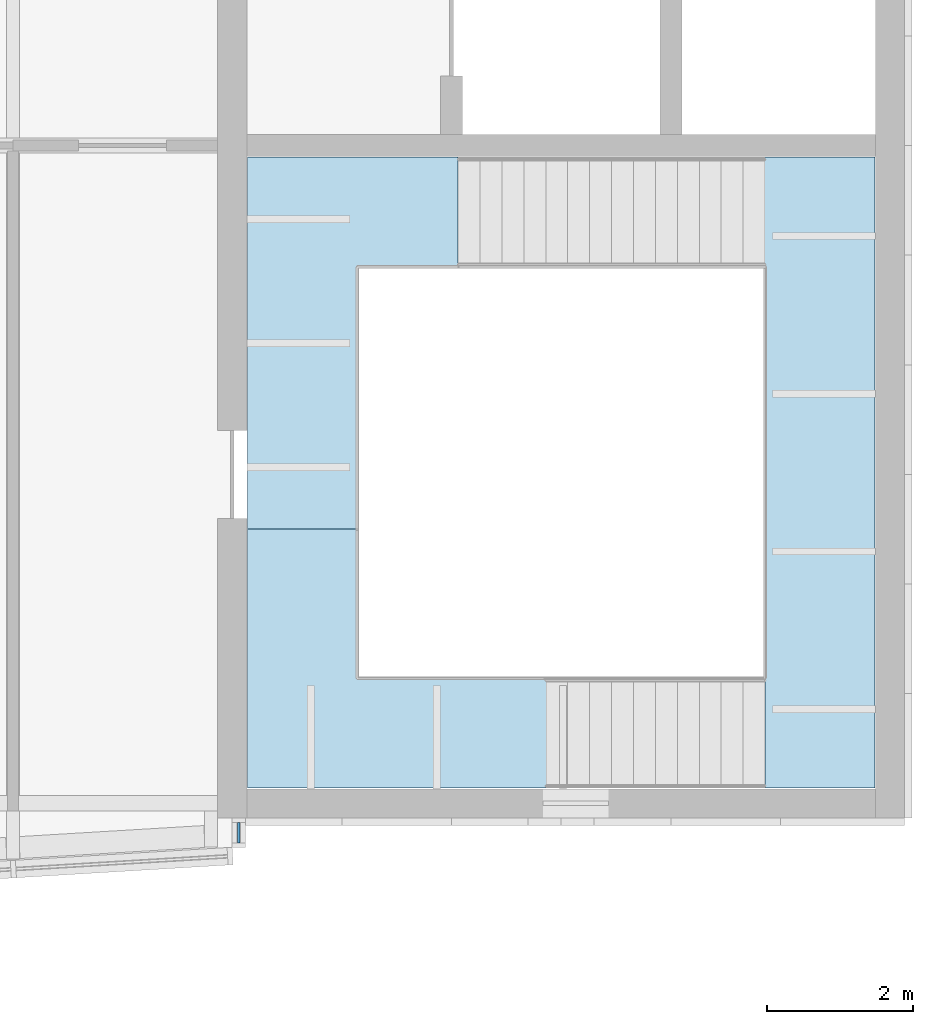
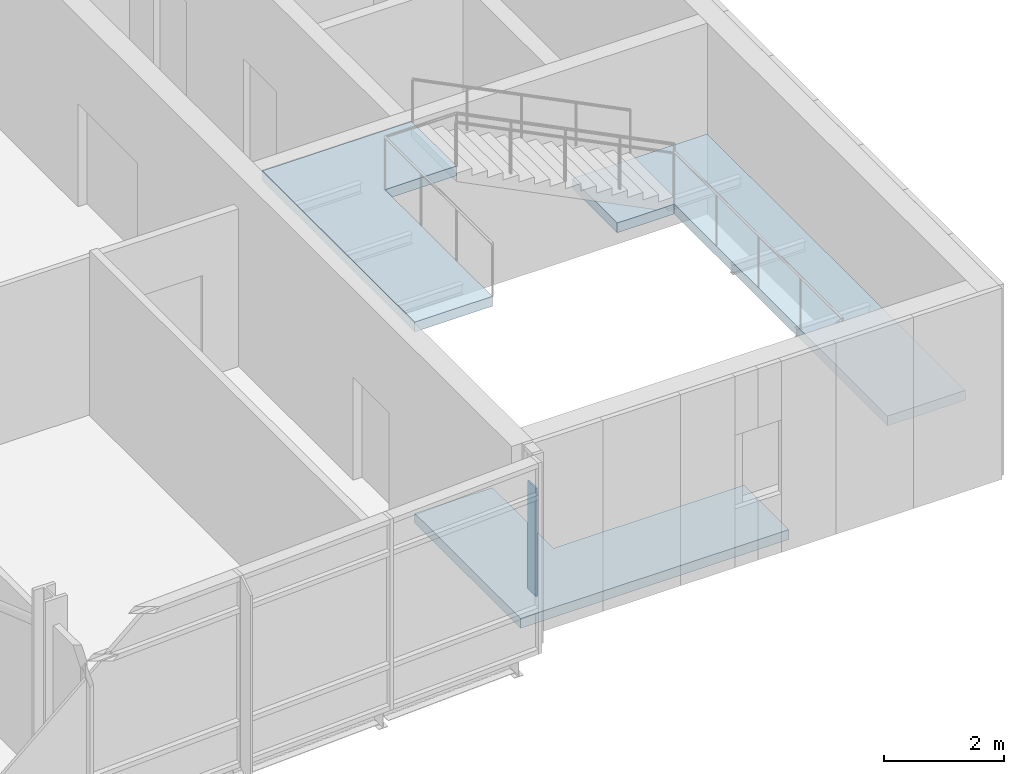
# One storey, part 12 of 21: 3 slabs, 1 plate, 2 elements without a shape of their own.
"""IFC4 building model written with IfcOpenShell, lengths in metres."""

from ifc_helpers import new_model, si_unit, direction, frame, origin, origin_2d, place, context, subcontext, project, spatial, polyline, rectangle, outline, extrude, material, layer, layer_set, type_object, element, aggregate, save


model = new_model("IFC4")

# Units and contexts
model_context = context("Model", 3, precision=1e-05, world=origin(), true_north=direction((0.0, 1.0)))
body_context = subcontext(model_context, "Body", "Model", "MODEL_VIEW")
ifc_project = project(units=[si_unit("LENGTHUNIT", "METRE"), si_unit("AREAUNIT", "SQUARE_METRE"), si_unit("VOLUMEUNIT", "CUBIC_METRE"), si_unit("PLANEANGLEUNIT", "RADIAN"), si_unit("MASSUNIT", "GRAM", prefix="KILO")], contexts=[model_context])

# Site, building, storey
site_placement = place(None, origin())
site = spatial("IfcSite", under=ifc_project, at=site_placement, CompositionType="ELEMENT")
building_placement = place(site_placement, origin())
building = spatial("IfcBuilding", under=site, at=building_placement, Name="Azimuth Sports and Learning Centre", CompositionType="ELEMENT")
storey_placement = place(building_placement, frame((0.0, 0.0, 48.0)))
storey = spatial("IfcBuildingStorey", under=building, at=storey_placement, Name="L10", CompositionType="ELEMENT", Elevation=48.0)

# Stair, slabs
ifc_material_1 = material(Name="Concrete C32/40", Category="concrete")
stair_type = type_object("IfcStairType", Name="Square-well stair core 3900 storey", PredefinedType="THREE_QUARTER_TURN_STAIR", material=ifc_material_1)
stair_placement = place(storey_placement, origin())
stair = element("IfcStair", 1, at=stair_placement, inside=storey, type_object=stair_type, Name="Stair E1 L10-L11", PredefinedType="THREE_QUARTER_TURN_STAIR")
ifc_material_2 = material(Name="Concrete C32/40", Category="concrete")
ifc_layer_1 = layer(ifc_material_2, 0.199951171875)
ifc_layer_set_1 = layer_set([ifc_layer_1], Name="Concrete C32/40")
slab_type = type_object("IfcSlabType", Name="Concrete stair landing", PredefinedType="LANDING", material=ifc_layer_set_1)
slab_1_placement = place(storey_placement, frame((0.0, 0.0, -0.199951171875)))
slab_1 = element("IfcSlab", 2, at=slab_1_placement, type_object=slab_type, Name="Stair E1 L10 landing 1", PredefinedType="LANDING", context=body_context, shape_type="SweptSolid", body=[
    extrude(outline(polyline([(113.389892578125, 91.7099609375), (109.7099609375, 91.7099609375), (109.7099609375, 93.75), (108.2099609375, 93.75), (108.2099609375, 90.2099609375), (113.389892578125, 90.2099609375), (113.389892578125, 91.7099609375)])), origin(), (0.0, 0.0, 1.0), 0.199951171875),
])
slab_2_placement = place(storey_placement, frame((0.0, 0.0, 1.449951171875)))
slab_2 = element("IfcSlab", 3, at=slab_2_placement, type_object=slab_type, Name="Stair E1 L10 landing 2", PredefinedType="LANDING", context=body_context, shape_type="SweptSolid", body=[
    extrude(outline(polyline([(115.2900390625, 91.7099609375), (115.289306640625, 91.7099609375), (115.289306640625, 90.2099609375), (116.7900390625, 90.2099609375), (116.7900390625, 98.840087890625), (114.18994140625, 98.840087890625), (114.18994140625, 97.340087890625), (115.2900390625, 97.340087890625), (115.2900390625, 91.7099609375)])), origin(), (0.0, 0.0, 1.0), 0.199951171875),
])
slab_3_placement = place(storey_placement, frame((0.0, 0.0, 3.699951171875)))
slab_3 = element("IfcSlab", 4, at=slab_3_placement, type_object=slab_type, Name="Stair E1 L10 landing 3", PredefinedType="LANDING", context=body_context, shape_type="SweptSolid", body=[
    extrude(outline(polyline([(109.7099609375, 97.340087890625), (111.0908203125, 97.340087890625), (111.0908203125, 98.840087890625), (108.2099609375, 98.840087890625), (108.2099609375, 93.75), (109.7099609375, 93.75), (109.7099609375, 97.340087890625)])), origin(), (0.0, 0.0, 1.0), 0.199951171875),
])
aggregate(stair, [slab_1, slab_2, slab_3])

# Curtain wall, plate
ifc_material_3 = material(Name="Aluminium and glass", Category="aluminium")
curtain_wall_type = type_object("IfcCurtainWallType", Name="Curtain wall tower return 180", PredefinedType="NOTDEFINED", material=ifc_material_3)
curtain_wall_placement = place(storey_placement, origin())
curtain_wall = element("IfcCurtainWall", 5, at=curtain_wall_placement, inside=storey, type_object=curtain_wall_type, Name="Curtain wall CW10-005", PredefinedType="NOTDEFINED")
ifc_material_4 = material(Name="Glass", Category="glass")
ifc_layer_2 = layer(ifc_material_4, 0.031982421875)
ifc_layer_set_2 = layer_set([ifc_layer_2], Name="Glass")
plate_type = type_object("IfcPlateType", Name="Vision glass 32 mm", PredefinedType="CURTAIN_PANEL", material=ifc_layer_set_2)
plate_placement = place(storey_placement, frame((108.090087890625, 89.60009765625, 0.9501953125), z_axis=(0.0, 0.0, 1.0), x_axis=(0.0, 1.0, 0.0)))
plate = element("IfcPlate", 6, at=plate_placement, type_object=plate_type, Name="CW10-005 panel 1.2", PredefinedType="CURTAIN_PANEL", context=body_context, shape_type="SweptSolid", body=[
    extrude(rectangle(XDim=0.280029296875, YDim=0.031982421875, at=origin_2d()), origin(), (0.0, 0.0, 1.0), 2.199951171875),
])
aggregate(curtain_wall, [plate])

save(model, "model.ifc")
